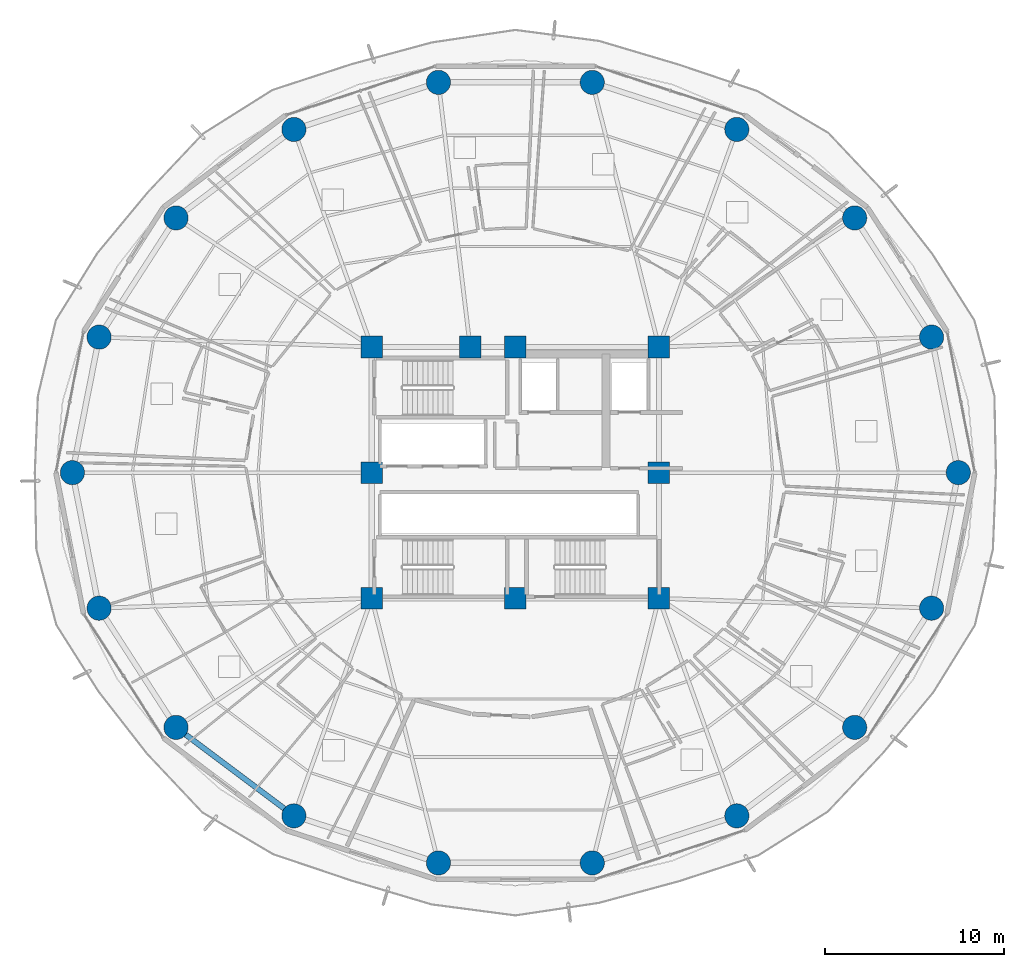
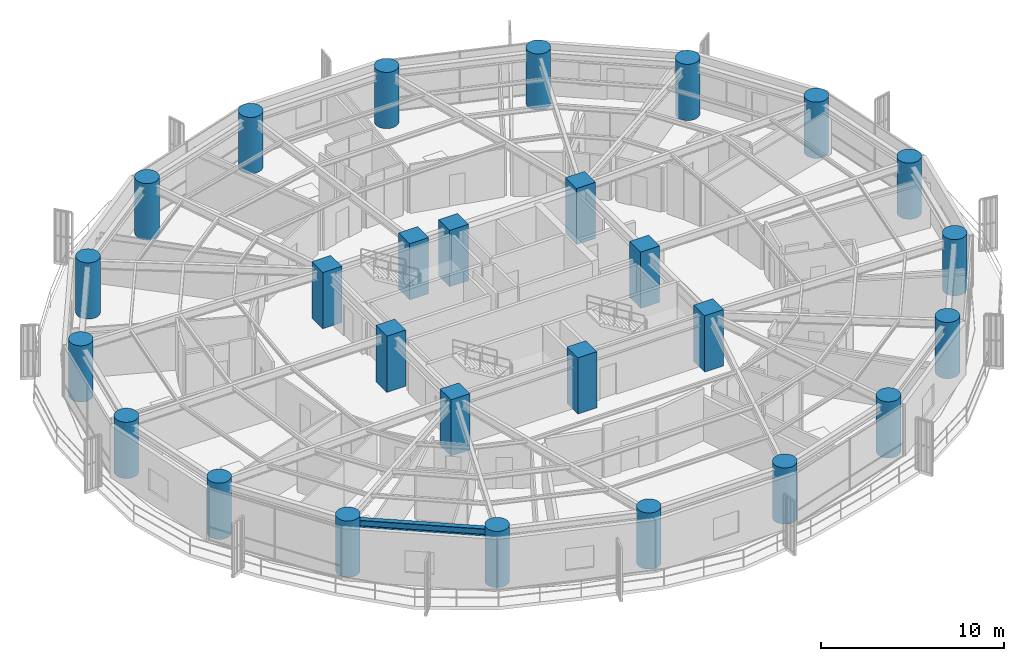
# One storey, part 1 of 37: 27 columns, 1 beam.
"""IFC4 building model written with IfcOpenShell, lengths in metres."""

from ifc_helpers import new_model, si_unit, direction, frame, origin, origin_2d, place, context, subcontext, project, spatial, rectangle, circle, i_section, extrude, material, material_profile, profile_set, type_object, element, save


model = new_model("IFC4")

# Units and contexts
model_context = context("Model", 3, precision=1e-05, world=origin(), true_north=direction((0.0, 1.0)))
body_context = subcontext(model_context, "Body", "Model", "MODEL_VIEW")
ifc_project = project(units=[si_unit("LENGTHUNIT", "METRE"), si_unit("AREAUNIT", "SQUARE_METRE"), si_unit("VOLUMEUNIT", "CUBIC_METRE"), si_unit("PLANEANGLEUNIT", "RADIAN"), si_unit("MASSUNIT", "GRAM", prefix="KILO")], contexts=[model_context])

# Site, building, storey
site_placement = place(None, origin())
site = spatial("IfcSite", under=ifc_project, at=site_placement, CompositionType="ELEMENT")
building_placement = place(site_placement, origin())
building = spatial("IfcBuilding", under=site, at=building_placement, Name="Kelanora Arch Commons", CompositionType="ELEMENT")
storey_placement = place(building_placement, frame((0.0, 0.0, 110.10009765625)))
storey = spatial("IfcBuildingStorey", under=building, at=storey_placement, Name="L28", CompositionType="ELEMENT", Elevation=110.10009765625)

# Columns
ifc_material_1 = material(Name="Concrete C60/75", Category="concrete")
ifc_material_profile_1 = material_profile(ifc_material_1, circle(Radius=0.675048828125, at=origin_2d()), Name="RCC1350")
ifc_profile_set_1 = profile_set([ifc_material_profile_1], Name="Concrete C60/75")
column_type_1 = type_object("IfcColumnType", Name="COL-PERIM-Z2", PredefinedType="COLUMN", material=ifc_profile_set_1)
for number, where, z_axis, x_axis, name in (
    (1, (98.679931640625, 58.0, 0.0), (0.0, 0.0, 1.0), (1.0, 0.0, 0.0), "Perimeter Ring Column CP-00 L28"),
    (2, (97.191650390625, 65.5517578125, 0.0), (0.0, 0.0, 1.0), (1.0, 0.0, 0.0), "Perimeter Ring Column CP-02 L28"),
    (3, (92.906005859375, 72.19287109375, 0.0), (0.0, 0.0, 1.0), (1.0, 0.0, 0.0), "Perimeter Ring Column CP-04 L28"),
    (4, (86.340087890625, 77.121826171875, 0.0), (0.0, 0.0, 1.0), (1.0, 0.0, 0.0), "Perimeter Ring Column CP-06 L28"),
    (5, (78.28564453125, 79.74462890625, 0.0), (0.0, 0.0, 1.0), (1.0, 0.0, 0.0), "Perimeter Ring Column CP-08 L28"),
    (6, (69.71435546875, 79.74462890625, 0.0), (0.0, 0.0, 1.0), (1.0, 0.0, 0.0), "Perimeter Ring Column CP-10 L28"),
    (7, (61.659912109375, 77.121826171875, 0.0), (0.0, 0.0, 1.0), (1.0, 0.0, 0.0), "Perimeter Ring Column CP-12 L28"),
    (8, (55.093994140625, 72.19287109375, 0.0), (0.0, 0.0, 1.0), (1.0, 0.0, 0.0), "Perimeter Ring Column CP-14 L28"),
    (9, (50.808349609375, 65.5517578125, 0.0), (0.0, 0.0, 1.0), (1.0, 0.0, 0.0), "Perimeter Ring Column CP-16 L28"),
    (10, (49.320068359375, 58.0, 0.0), (0.0, 0.0, 1.0), (1.0, 0.0, 0.0), "Perimeter Ring Column CP-18 L28"),
    (11, (50.808349609375, 50.4482421875, 0.0), (0.0, 0.0, 1.0), (1.0, 0.0, 0.0), "Perimeter Ring Column CP-20 L28"),
    (12, (55.093994140625, 43.80712890625, 0.0), (0.0, 0.0, 1.0), (1.0, 0.0, 0.0), "Perimeter Ring Column CP-22 L28"),
    (13, (61.659912109375, 38.878173828125, 0.0), (0.0, 0.0, 1.0), (1.0, 0.0, 0.0), "Perimeter Ring Column CP-24 L28"),
    (14, (69.71435546875, 36.25537109375, 0.0), (0.0, 0.0, 1.0), (1.0, 0.0, 0.0), "Perimeter Ring Column CP-26 L28"),
    (15, (78.28564453125, 36.25537109375, 0.0), (0.0, 0.0, 1.0), (1.0, 0.0, 0.0), "Perimeter Ring Column CP-28 L28"),
    (16, (86.340087890625, 38.878173828125, 0.0), (0.0, 0.0, 1.0), (1.0, 0.0, 0.0), "Perimeter Ring Column CP-30 L28"),
    (17, (92.906005859375, 43.80712890625, 0.0), (0.0, 0.0, 1.0), (1.0, 0.0, 0.0), "Perimeter Ring Column CP-32 L28"),
    (18, (97.191650390625, 50.4482421875, 0.0), (0.0, 0.0, 1.0), (1.0, 0.0, 0.0), "Perimeter Ring Column CP-34 L28"),
):
    element("IfcColumn", number, at=place(storey_placement, frame(where, z_axis=z_axis, x_axis=x_axis)), inside=storey, type_object=column_type_1, Name=name, PredefinedType="COLUMN", context=body_context, shape_type="SweptSolid", body=[
        extrude(circle(Radius=0.675048828125, at=origin_2d()), origin(), (0.0, 0.0, 1.0), 3.75),
    ])
ifc_material_profile_2 = material_profile(ifc_material_1, rectangle(XDim=1.199951171875, YDim=1.199951171875, at=origin_2d()), Name="RC1200x1200")
ifc_profile_set_2 = profile_set([ifc_material_profile_2], Name="Concrete C60/75")
column_type_2 = type_object("IfcColumnType", Name="COL-PIL-MID", PredefinedType="PILASTER", material=ifc_profile_set_2)
for number, where, z_axis, x_axis, name in (
    (19, (66.0, 51.0, 0.0), (0.0, 0.0, 1.0), (1.0, 0.0, 0.0), "Core Pilaster Column CP1 L28"),
    (20, (74.0, 51.0, 0.0), (0.0, 0.0, 1.0), (1.0, 0.0, 0.0), "Core Pilaster Column CP2 L28"),
    (21, (82.0, 51.0, 0.0), (0.0, 0.0, 1.0), (1.0, 0.0, 0.0), "Core Pilaster Column CP3 L28"),
    (22, (82.0, 58.0, 0.0), (0.0, 0.0, 1.0), (1.0, 0.0, 0.0), "Core Pilaster Column CP4 L28"),
    (23, (82.0, 65.0, 0.0), (0.0, 0.0, 1.0), (1.0, 0.0, 0.0), "Core Pilaster Column CP5 L28"),
    (24, (74.0, 65.0, 0.0), (0.0, 0.0, 1.0), (1.0, 0.0, 0.0), "Core Pilaster Column CP6 L28"),
    (25, (71.47998046875, 65.0, 0.0), (0.0, 0.0, 1.0), (1.0, 0.0, 0.0), "Core Pilaster Column CP9 L28"),
    (26, (66.0, 65.0, 0.0), (0.0, 0.0, 1.0), (1.0, 0.0, 0.0), "Core Pilaster Column CP7 L28"),
    (27, (66.0, 58.0, 0.0), (0.0, 0.0, 1.0), (1.0, 0.0, 0.0), "Core Pilaster Column CP8 L28"),
):
    element("IfcColumn", number, at=place(storey_placement, frame(where, z_axis=z_axis, x_axis=x_axis)), inside=storey, type_object=column_type_2, Name=name, PredefinedType="PILASTER", context=body_context, shape_type="SweptSolid", body=[
        extrude(rectangle(XDim=1.199951171875, YDim=1.199951171875, at=origin_2d()), origin(), (0.0, 0.0, 1.0), 3.75),
    ])

# Beam
ifc_material_2 = material(Name="Steel S355", Category="steel")
ifc_material_profile_3 = material_profile(ifc_material_2, i_section(OverallWidth=0.300048828125, OverallDepth=0.5, WebThickness=0.014404296875, FlangeThickness=0.028076171875, FilletRadius=0.027099609375, at=origin_2d()), Name="HEB500")
ifc_profile_set_3 = profile_set([ifc_material_profile_3], Name="Steel S355")
beam_type = type_object("IfcBeamType", Name="BM-SPN-Z2", PredefinedType="SPANDREL", material=ifc_profile_set_3)
beam_placement = place(storey_placement, frame((55.093994140625, 43.80712890625, 3.239990234375), z_axis=(0.799735861602, -0.600352023123, 0.0), x_axis=(0.600352023123, 0.799735861602, 0.0)))
element("IfcBeam", 28, at=beam_placement, inside=storey, type_object=beam_type, Name="Perimeter Spandrel Beam BS-22 L28", PredefinedType="SPANDREL", context=body_context, shape_type="SweptSolid", body=[
    extrude(i_section(OverallWidth=0.300048828125, OverallDepth=0.5, WebThickness=0.014404296875, FlangeThickness=0.028076171875, FilletRadius=0.027099609375, at=origin_2d()), origin(), (0.0, 0.0, 1.0), 8.210205078125),
])

save(model, "model.ifc")
